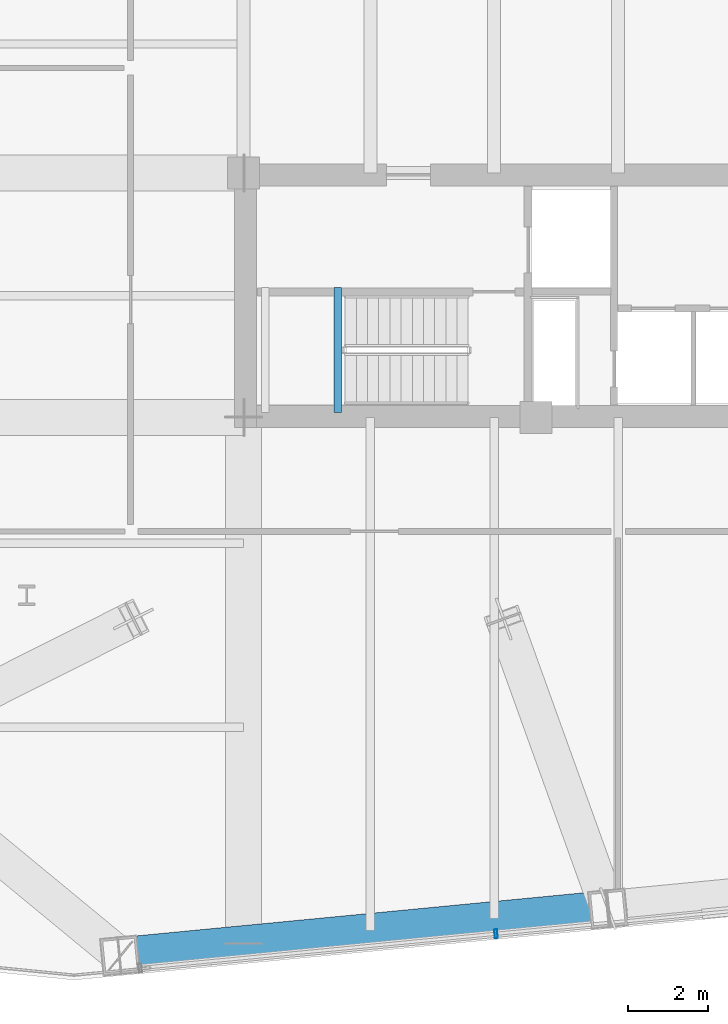
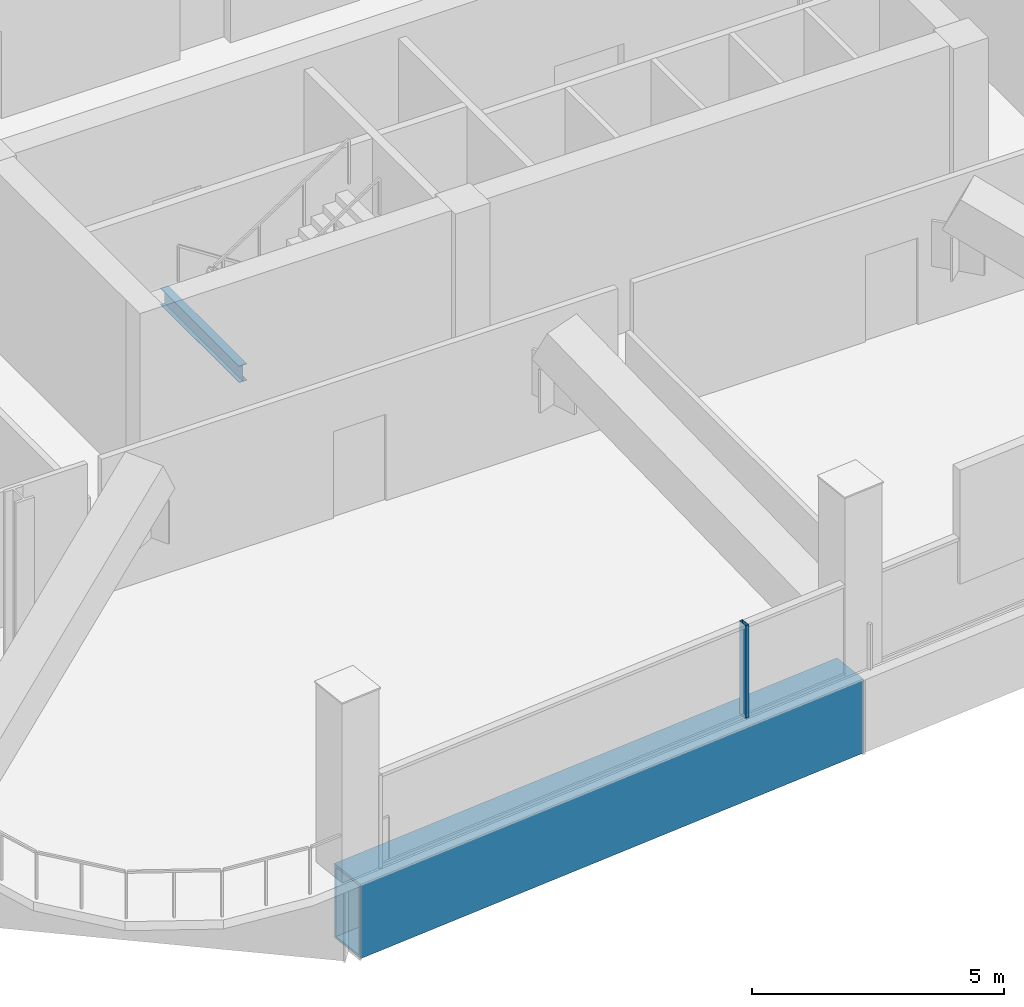
# One storey, part 4 of 30: 2 beams, 1 member, 1 element without a shape of its own.
"""IFC4 building model written with IfcOpenShell, lengths in metres."""

from ifc_helpers import new_model, si_unit, direction, frame, origin, origin_2d, place, context, subcontext, project, spatial, hollow_rectangle, i_section, extrude, material, layer, layer_set, material_profile, profile_set, type_object, element, aggregate, save


model = new_model("IFC4")

# Units and contexts
model_context = context("Model", 3, precision=1e-05, world=origin(), true_north=direction((0.0, 1.0)))
body_context = subcontext(model_context, "Body", "Model", "MODEL_VIEW")
ifc_project = project(units=[si_unit("LENGTHUNIT", "METRE"), si_unit("AREAUNIT", "SQUARE_METRE"), si_unit("VOLUMEUNIT", "CUBIC_METRE"), si_unit("PLANEANGLEUNIT", "RADIAN"), si_unit("MASSUNIT", "GRAM", prefix="KILO")], contexts=[model_context])

# Site, building, storey
site_placement = place(None, origin())
site = spatial("IfcSite", under=ifc_project, at=site_placement, CompositionType="ELEMENT")
building_placement = place(site_placement, origin())
building = spatial("IfcBuilding", under=site, at=building_placement, Name="Qhalaya Broadcast Tower", CompositionType="ELEMENT")
storey_placement = place(building_placement, frame((0.0, 0.0, 96.89990234375)))
storey = spatial("IfcBuildingStorey", under=building, at=storey_placement, Name="L28", CompositionType="ELEMENT", Elevation=96.89990234375)

# Beam
ifc_material_1 = material(Name="Structural Steel ASTM A572 Grade 50", Category="steel")
ifc_material_profile_1 = material_profile(ifc_material_1, hollow_rectangle(XDim=0.89990234375, YDim=1.800048828125, WallThickness=0.06005859375, at=origin_2d()), Name="BOX 900x1800x60")
ifc_profile_set_1 = profile_set([ifc_material_profile_1], Name="Structural Steel ASTM A572 Grade 50")
beam_type_1 = type_object("IfcBeamType", Name="Block Cantilever Transfer Box Girder TG1", PredefinedType="USERDEFINED", material=ifc_profile_set_1)
beam_1_placement = place(storey_placement, frame((-12.46533203125, -22.212646484375, -1.119873046875), z_axis=(0.99539563662, 0.095851586307, 0.0), x_axis=(-0.095851586307, 0.99539563662, 0.0)))
element("IfcBeam", 1, at=beam_1_placement, inside=storey, type_object=beam_type_1, Name="L28 TG1 L28-SPR-01", ObjectType="GIRDER", PredefinedType="USERDEFINED", context=body_context, shape_type="SweptSolid", body=[
    extrude(hollow_rectangle(XDim=0.89990234375, YDim=1.800048828125, WallThickness=0.06005859375, at=origin_2d()), origin(), (0.0, 0.0, 1.0), 12.2666015625),
])

# Curtain wall, member
ifc_material_2 = material(Name="Fired Architectural Terracotta", Category="masonry")
ifc_layer = layer(ifc_material_2, 0.219970703125, Name="Fired Architectural Terracotta")
ifc_layer_set = layer_set([ifc_layer], Name="Fired Architectural Terracotta")
curtain_wall_type = type_object("IfcCurtainWallType", Name="Block-Cap Unitised Terracotta Spandrel Wall CW-07", PredefinedType="NOTDEFINED", material=ifc_layer_set)
curtain_wall_placement = place(storey_placement, origin())
curtain_wall = element("IfcCurtainWall", 2, at=curtain_wall_placement, inside=storey, type_object=curtain_wall_type, Name="L28 Unitised Curtain Wall L28-CW-S", PredefinedType="NOTDEFINED")
ifc_material_3 = material(Name="Anodised Aluminium 6063-T6", Category="aluminium")
ifc_material_profile_2 = material_profile(ifc_material_3, hollow_rectangle(XDim=0.074951171875, YDim=0.219970703125, WallThickness=0.00390625, at=origin_2d()), Name="ALU-MUL 75x220x4")
ifc_profile_set_2 = profile_set([ifc_material_profile_2], Name="Anodised Aluminium 6063-T6")
member_type = type_object("IfcMemberType", Name="Unitised Curtain-Wall Mullion M01", PredefinedType="MULLION", material=ifc_profile_set_2)
member_placement = place(storey_placement, frame((-3.05517578125, -21.668212890625, 0.0), z_axis=(0.0, 0.0, 1.0), x_axis=(-0.995396096278, -0.095846812756, 0.0)))
member = element("IfcMember", 3, at=member_placement, type_object=member_type, Name="CW-07 mullion 4", PredefinedType="MULLION", context=body_context, shape_type="SweptSolid", body=[
    extrude(hollow_rectangle(XDim=0.074951171875, YDim=0.219970703125, WallThickness=0.00390625, at=origin_2d()), origin(), (0.0, 0.0, 1.0), 2.25),
])
aggregate(curtain_wall, [member])

# Beam
ifc_material_4 = material(Name="Structural Steel ASTM A992 Grade 50", Category="steel")
ifc_material_profile_3 = material_profile(ifc_material_4, i_section(OverallWidth=0.177978515625, OverallDepth=0.406005859375, WebThickness=0.0078125, FlangeThickness=0.0126953125, at=origin_2d()), Name="W16X40")
ifc_profile_set_3 = profile_set([ifc_material_profile_3], Name="Structural Steel ASTM A992 Grade 50")
beam_type_2 = type_object("IfcBeamType", Name="Upper Perimeter Spandrel Beam SP2", PredefinedType="SPANDREL", material=ifc_profile_set_3)
beam_2_placement = place(storey_placement, frame((-7.014892578125, -8.6201171875, 1.772216796875), z_axis=(0.0, 1.0, 0.0), x_axis=(-1.0, 0.0, 0.0)))
element("IfcBeam", 4, at=beam_2_placement, inside=storey, type_object=beam_type_2, Name="L28 ST-2 Half-Landing Bearer Beam 2", PredefinedType="SPANDREL", context=body_context, shape_type="SweptSolid", body=[
    extrude(i_section(OverallWidth=0.177978515625, OverallDepth=0.406005859375, WebThickness=0.0078125, FlangeThickness=0.0126953125, at=origin_2d()), origin(), (0.0, 0.0, 1.0), 3.1201171875),
])

save(model, "model.ifc")
